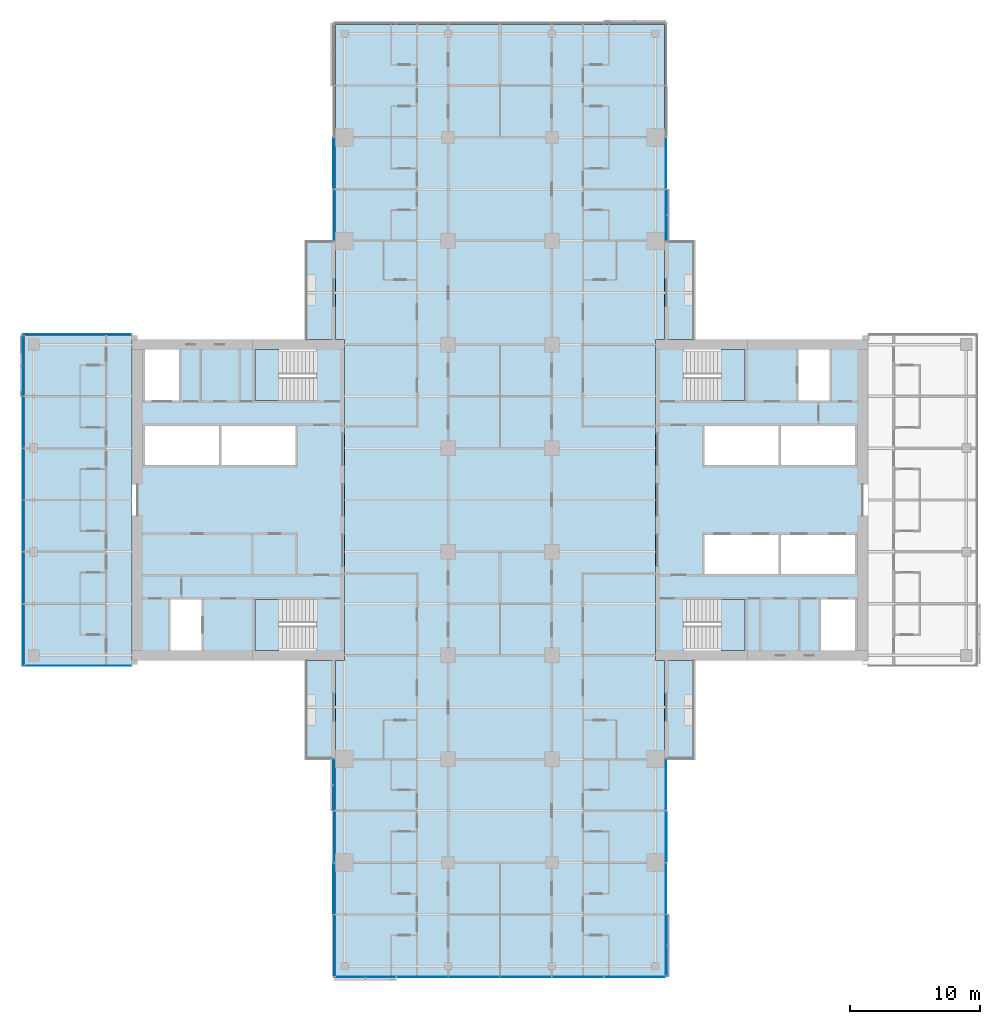
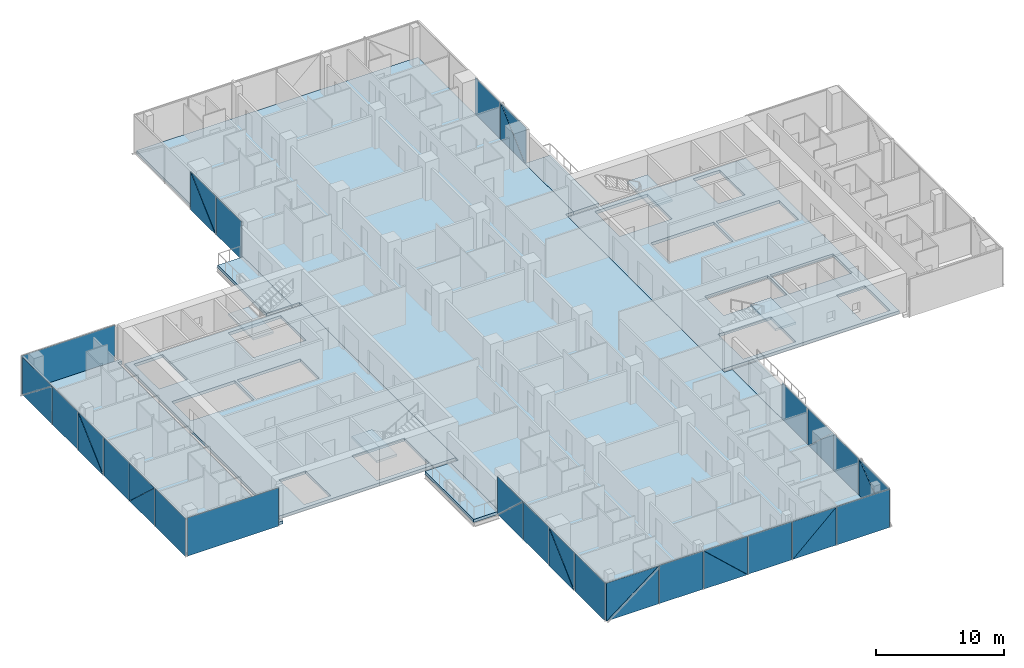
# One storey, part 13 of 29: 38 plates, 12 slabs, 12 elements without a shape of their own.
"""IFC4 building model written with IfcOpenShell, lengths in metres."""

from ifc_helpers import new_model, si_unit, direction, frame, origin, place, context, subcontext, project, spatial, polyline, outline, extrude, material, layer, layer_set, type_object, element, aggregate, save


model = new_model("IFC4")

# Units and contexts
model_context = context("Model", 3, precision=1e-05, world=origin(), true_north=direction((0.0, 1.0)))
body_context = subcontext(model_context, "Body", "Model", "MODEL_VIEW")
ifc_project = project(units=[si_unit("LENGTHUNIT", "METRE"), si_unit("AREAUNIT", "SQUARE_METRE"), si_unit("VOLUMEUNIT", "CUBIC_METRE"), si_unit("PLANEANGLEUNIT", "RADIAN"), si_unit("MASSUNIT", "GRAM", prefix="KILO")], contexts=[model_context])

# Site, building, storey
site_placement = place(None, origin())
site = spatial("IfcSite", under=ifc_project, at=site_placement, CompositionType="ELEMENT")
building_placement = place(site_placement, origin())
building = spatial("IfcBuilding", under=site, at=building_placement, Name="Crosswind Convention Tower", CompositionType="ELEMENT")
storey_placement = place(building_placement, frame((0.0, 0.0, 53.5)))
storey = spatial("IfcBuildingStorey", under=building, at=storey_placement, Name="L07", CompositionType="ELEMENT", Elevation=53.5)

# Slabs
ifc_material_1 = material(Name="Concrete C40/50", Category="concrete")
ifc_layer_1 = layer(ifc_material_1, 0.280029296875)
ifc_layer_set_1 = layer_set([ifc_layer_1], Name="Concrete C40/50")
slab_type_1 = type_object("IfcSlabType", Name="BALCONY SLAB 280", PredefinedType="USERDEFINED", material=ifc_layer_set_1)
slab_1_placement = place(storey_placement, frame((0.0, 0.0, -0.280029296875)))
element("IfcSlab", 1, at=slab_1_placement, inside=storey, type_object=slab_type_1, Name="BALCONY L07 N-E.1-1", ObjectType="BALCONY", PredefinedType="USERDEFINED", context=body_context, shape_type="SweptSolid", body=[
    extrude(outline(polyline([(137.699951171875, 112.39990234375), (137.699951171875, 120.0), (140.0, 120.0), (140.0, 112.39990234375), (137.699951171875, 112.39990234375)])), origin(), (0.0, 0.0, 1.0), 0.280029296875),
])
slab_2_placement = place(storey_placement, frame((0.0, 0.0, -0.280029296875)))
element("IfcSlab", 2, at=slab_2_placement, inside=storey, type_object=slab_type_1, Name="BALCONY L07 N-W.1-3", ObjectType="BALCONY", PredefinedType="USERDEFINED", context=body_context, shape_type="SweptSolid", body=[
    extrude(outline(polyline([(112.300048828125, 120.0), (112.300048828125, 112.39990234375), (110.0, 112.39990234375), (110.0, 120.0), (112.300048828125, 120.0)])), origin(), (0.0, 0.0, 1.0), 0.280029296875),
])
slab_3_placement = place(storey_placement, frame((0.0, 0.0, -0.280029296875)))
element("IfcSlab", 3, at=slab_3_placement, inside=storey, type_object=slab_type_1, Name="BALCONY L07 S-W.1-1", ObjectType="BALCONY", PredefinedType="USERDEFINED", context=body_context, shape_type="SweptSolid", body=[
    extrude(outline(polyline([(112.300048828125, 87.60009765625), (112.300048828125, 80.0), (110.0, 80.0), (110.0, 87.60009765625), (112.300048828125, 87.60009765625)])), origin(), (0.0, 0.0, 1.0), 0.280029296875),
])
slab_4_placement = place(storey_placement, frame((0.0, 0.0, -0.280029296875)))
element("IfcSlab", 4, at=slab_4_placement, inside=storey, type_object=slab_type_1, Name="BALCONY L07 S-E.1-3", ObjectType="BALCONY", PredefinedType="USERDEFINED", context=body_context, shape_type="SweptSolid", body=[
    extrude(outline(polyline([(137.699951171875, 80.0), (137.699951171875, 87.60009765625), (140.0, 87.60009765625), (140.0, 80.0), (137.699951171875, 80.0)])), origin(), (0.0, 0.0, 1.0), 0.280029296875),
])
ifc_layer_2 = layer(ifc_material_1, 0.280029296875)
ifc_layer_set_2 = layer_set([ifc_layer_2], Name="Concrete C40/50")
slab_type_2 = type_object("IfcSlabType", Name="Composite floor slab 280", PredefinedType="FLOOR", material=ifc_layer_set_2)
slab_5_placement = place(storey_placement, frame((0.0, 0.0, -0.280029296875)))
element("IfcSlab", 5, at=slab_5_placement, inside=storey, type_object=slab_type_2, Name="Floor slab L07 part 1", PredefinedType="FLOOR", context=body_context, shape_type="SweptSolid", body=[
    extrude(outline(polyline([(97.0, 87.300048828125), (89.0, 87.300048828125), (88.300048828125, 87.300048828125), (88.300048828125, 88.0), (88.300048828125, 112.0), (88.300048828125, 112.699951171875), (89.0, 112.699951171875), (97.0, 112.699951171875), (97.0, 112.39990234375), (96.60009765625, 112.39990234375), (96.60009765625, 87.60009765625), (97.0, 87.60009765625), (97.0, 87.300048828125)])), origin(), (0.0, 0.0, 1.0), 0.280029296875),
])
slab_6_placement = place(storey_placement, frame((0.0, 0.0, -0.280029296875)))
element("IfcSlab", 6, at=slab_6_placement, inside=storey, type_object=slab_type_2, Name="Floor slab L07 part 2", PredefinedType="FLOOR", context=body_context, shape_type="SweptSolid", body=[
    extrude(outline(polyline([(112.300048828125, 87.60009765625), (113.0, 87.60009765625), (113.0, 112.39990234375), (112.300048828125, 112.39990234375), (112.300048828125, 136.0), (112.300048828125, 136.699951171875), (113.0, 136.699951171875), (137.0, 136.699951171875), (137.699951171875, 136.699951171875), (137.699951171875, 136.0), (137.699951171875, 112.39990234375), (137.0, 112.39990234375), (137.0, 87.60009765625), (137.699951171875, 87.60009765625), (137.699951171875, 64.0), (137.699951171875, 63.300048828125), (137.0, 63.300048828125), (113.0, 63.300048828125), (112.300048828125, 63.300048828125), (112.300048828125, 64.0), (112.300048828125, 87.60009765625)])), origin(), (0.0, 0.0, 1.0), 0.280029296875),
])
ifc_layer_3 = layer(ifc_material_1, 0.280029296875)
ifc_layer_set_3 = layer_set([ifc_layer_3], Name="Concrete C40/50")
slab_type_3 = type_object("IfcSlabType", Name="Concrete core floor slab 280", PredefinedType="FLOOR", material=ifc_layer_set_3)
slab_7_placement = place(storey_placement, frame((0.0, 0.0, -0.280029296875)))
element("IfcSlab", 7, at=slab_7_placement, inside=storey, type_object=slab_type_3, Name="Core floor slab E L07", PredefinedType="FLOOR", context=body_context, shape_type="SweptSolid", body=[
    extrude(outline(polyline([(137.0, 88.0), (153.0, 88.0), (153.0, 112.0), (137.0, 112.0), (137.0, 88.0)]), holes=[polyline([(146.5, 102.699951171875), (146.5, 105.699951171875), (140.800048828125, 105.699951171875), (140.800048828125, 102.699951171875), (146.5, 102.699951171875)]), polyline([(152.39990234375, 102.699951171875), (152.39990234375, 105.699951171875), (146.699951171875, 105.699951171875), (146.699951171875, 102.699951171875), (152.39990234375, 102.699951171875)]), polyline([(146.5, 94.300048828125), (146.5, 97.300048828125), (140.800048828125, 97.300048828125), (140.800048828125, 94.300048828125), (146.5, 94.300048828125)]), polyline([(152.39990234375, 94.300048828125), (152.39990234375, 97.300048828125), (146.699951171875, 97.300048828125), (146.699951171875, 94.300048828125), (152.39990234375, 94.300048828125)]), polyline([(150.449951171875, 107.699951171875), (150.449951171875, 111.60009765625), (148.050048828125, 111.60009765625), (148.050048828125, 107.699951171875), (150.449951171875, 107.699951171875)]), polyline([(152.39990234375, 88.39990234375), (152.39990234375, 92.300048828125), (149.800048828125, 92.300048828125), (149.800048828125, 88.39990234375), (152.39990234375, 88.39990234375)]), polyline([(143.89990234375, 107.699951171875), (143.89990234375, 111.60009765625), (139.14990234375, 111.60009765625), (139.14990234375, 107.699951171875), (143.89990234375, 107.699951171875)]), polyline([(143.89990234375, 88.39990234375), (143.89990234375, 92.300048828125), (139.14990234375, 92.300048828125), (139.14990234375, 88.39990234375), (143.89990234375, 88.39990234375)])]), origin(), (0.0, 0.0, 1.0), 0.280029296875),
])
slab_8_placement = place(storey_placement, frame((0.0, 0.0, -0.280029296875)))
element("IfcSlab", 8, at=slab_8_placement, inside=storey, type_object=slab_type_3, Name="Core floor slab W L07", PredefinedType="FLOOR", context=body_context, shape_type="SweptSolid", body=[
    extrude(outline(polyline([(97.0, 88.0), (113.0, 88.0), (113.0, 112.0), (97.0, 112.0), (97.0, 88.0)]), holes=[polyline([(109.199951171875, 102.699951171875), (109.199951171875, 105.699951171875), (103.5, 105.699951171875), (103.5, 102.699951171875), (109.199951171875, 102.699951171875)]), polyline([(103.300048828125, 102.699951171875), (103.300048828125, 105.699951171875), (97.60009765625, 105.699951171875), (97.60009765625, 102.699951171875), (103.300048828125, 102.699951171875)]), polyline([(101.949951171875, 88.39990234375), (101.949951171875, 92.300048828125), (99.550048828125, 92.300048828125), (99.550048828125, 88.39990234375), (101.949951171875, 88.39990234375)]), polyline([(100.199951171875, 107.699951171875), (100.199951171875, 111.60009765625), (97.60009765625, 111.60009765625), (97.60009765625, 107.699951171875), (100.199951171875, 107.699951171875)]), polyline([(110.85009765625, 88.39990234375), (110.85009765625, 92.300048828125), (106.10009765625, 92.300048828125), (106.10009765625, 88.39990234375), (110.85009765625, 88.39990234375)]), polyline([(110.85009765625, 107.699951171875), (110.85009765625, 111.60009765625), (106.10009765625, 111.60009765625), (106.10009765625, 107.699951171875), (110.85009765625, 107.699951171875)])]), origin(), (0.0, 0.0, 1.0), 0.280029296875),
])

# Stair, slab
stair_type = type_object("IfcStairType", Name="Exit stair 1800 wide, 2 flights of 11 risers", PredefinedType="HALF_TURN_STAIR", material=ifc_material_1)
stair_1_placement = place(storey_placement, origin())
stair_1 = element("IfcStair", 9, at=stair_1_placement, inside=storey, type_object=stair_type, Name="Exit stair ST1 L07", ObjectType="ST5", PredefinedType="HALF_TURN_STAIR")
ifc_layer_4 = layer(ifc_material_1, 0.199951171875)
ifc_layer_set_4 = layer_set([ifc_layer_4], Name="Concrete C40/50")
slab_type_4 = type_object("IfcSlabType", Name="Stair landing 200", PredefinedType="LANDING", material=ifc_layer_set_4)
slab_9_placement = place(storey_placement, frame((0.0, 0.0, 1.64990234375)))
slab_9 = element("IfcSlab", 10, at=slab_9_placement, type_object=slab_type_4, Name="ST1 landing 1", PredefinedType="LANDING", context=body_context, shape_type="SweptSolid", body=[
    extrude(outline(polyline([(143.89990234375, 107.699951171875), (143.89990234375, 111.60009765625), (142.050048828125, 111.60009765625), (142.050048828125, 107.699951171875), (143.89990234375, 107.699951171875)])), origin(), (0.0, 0.0, 1.0), 0.2001953125),
])
aggregate(stair_1, [slab_9])

stair_2_placement = place(storey_placement, origin())
stair_2 = element("IfcStair", 11, at=stair_2_placement, inside=storey, type_object=stair_type, Name="Exit stair ST2 L07", ObjectType="ST5", PredefinedType="HALF_TURN_STAIR")
slab_10_placement = place(storey_placement, frame((0.0, 0.0, 1.64990234375)))
slab_10 = element("IfcSlab", 12, at=slab_10_placement, type_object=slab_type_4, Name="ST2 landing 1", PredefinedType="LANDING", context=body_context, shape_type="SweptSolid", body=[
    extrude(outline(polyline([(143.89990234375, 88.39990234375), (143.89990234375, 92.300048828125), (142.050048828125, 92.300048828125), (142.050048828125, 88.39990234375), (143.89990234375, 88.39990234375)])), origin(), (0.0, 0.0, 1.0), 0.2001953125),
])
aggregate(stair_2, [slab_10])

stair_3_placement = place(storey_placement, origin())
stair_3 = element("IfcStair", 13, at=stair_3_placement, inside=storey, type_object=stair_type, Name="Exit stair ST3 L07", ObjectType="ST5", PredefinedType="HALF_TURN_STAIR")
slab_11_placement = place(storey_placement, frame((0.0, 0.0, 1.64990234375)))
slab_11 = element("IfcSlab", 14, at=slab_11_placement, type_object=slab_type_4, Name="ST3 landing 1", PredefinedType="LANDING", context=body_context, shape_type="SweptSolid", body=[
    extrude(outline(polyline([(107.949951171875, 88.39990234375), (107.949951171875, 92.300048828125), (106.10009765625, 92.300048828125), (106.10009765625, 88.39990234375), (107.949951171875, 88.39990234375)])), origin(), (0.0, 0.0, 1.0), 0.2001953125),
])
aggregate(stair_3, [slab_11])

stair_4_placement = place(storey_placement, origin())
stair_4 = element("IfcStair", 15, at=stair_4_placement, inside=storey, type_object=stair_type, Name="Exit stair ST4 L07", ObjectType="ST5", PredefinedType="HALF_TURN_STAIR")
slab_12_placement = place(storey_placement, frame((0.0, 0.0, 1.64990234375)))
slab_12 = element("IfcSlab", 16, at=slab_12_placement, type_object=slab_type_4, Name="ST4 landing 1", PredefinedType="LANDING", context=body_context, shape_type="SweptSolid", body=[
    extrude(outline(polyline([(107.949951171875, 107.699951171875), (107.949951171875, 111.60009765625), (106.10009765625, 111.60009765625), (106.10009765625, 107.699951171875), (107.949951171875, 107.699951171875)])), origin(), (0.0, 0.0, 1.0), 0.2001953125),
])
aggregate(stair_4, [slab_12])

# Curtain wall, plate
ifc_material_2 = material(Name="Aluminium unitised curtain wall", Category="aluminium")
curtain_wall_type_1 = type_object("IfcCurtainWallType", Name="CORE END SLOT WALL 160", PredefinedType="USERDEFINED", material=ifc_material_2)
curtain_wall_1_placement = place(storey_placement, origin())
curtain_wall_1 = element("IfcCurtainWall", 17, at=curtain_wall_1_placement, inside=storey, type_object=curtain_wall_type_1, Name="CW6 L07 W-N.2-1 slot", ObjectType="UNITISED", PredefinedType="USERDEFINED")
ifc_material_3 = material(Name="Laminated insulating glass unit", Category="glass")
ifc_layer_5 = layer(ifc_material_3, 0.02587890625)
ifc_layer_set_5 = layer_set([ifc_layer_5], Name="TRIANGULAR GLASS PANEL 26")
plate_type_1 = type_object("IfcPlateType", Name="TRIANGULAR GLASS PANEL 26", PredefinedType="CURTAIN_PANEL", material=ifc_layer_set_5)
plate_1_placement = place(storey_placement, frame((96.550048828125, 112.806640625, -0.280029296875), z_axis=(0.0, 0.999999919475, 0.000401310917), x_axis=(-1.0, 0.0, 0.0)))
plate_1 = element("IfcPlate", 18, at=plate_1_placement, type_object=plate_type_1, Name="CW6 panel 1.1", PredefinedType="CURTAIN_PANEL", context=body_context, shape_type="SweptSolid", body=[
    extrude(outline(polyline([(0.0, 0.0), (8.400146484375, 0.0), (8.400146484375, 3.6501467783039057), (0.0, 3.6501467783039057), (0.0, 0.0)])), origin(), (0.0, 0.0, -1.0), 0.02587890625),
])
aggregate(curtain_wall_1, [plate_1])

curtain_wall_2_placement = place(storey_placement, origin())
curtain_wall_2 = element("IfcCurtainWall", 19, at=curtain_wall_2_placement, inside=storey, type_object=curtain_wall_type_1, Name="CW6 L07 W-S.1-1 slot", ObjectType="UNITISED", PredefinedType="USERDEFINED")
plate_2_placement = place(storey_placement, frame((88.35009765625, 87.193359375, -0.280029296875), z_axis=(0.0, -0.999999919475, 0.000401310917), x_axis=(1.0, 0.0, 0.0)))
plate_2 = element("IfcPlate", 20, at=plate_2_placement, type_object=plate_type_1, Name="CW6 panel 1.1", PredefinedType="CURTAIN_PANEL", context=body_context, shape_type="SweptSolid", body=[
    extrude(outline(polyline([(0.0, 0.0), (8.199951171875, 0.0), (8.199951171875, 3.650146778303906), (0.0, 3.650146778303906), (0.0, 0.0)])), origin(), (0.0, 0.0, -1.0), 0.02587890625),
])
aggregate(curtain_wall_2, [plate_2])

# Curtain wall, plates
curtain_wall_type_2 = type_object("IfcCurtainWallType", Name="HOTEL UNITISED WALL 200", PredefinedType="USERDEFINED", material=ifc_material_2)
curtain_wall_3_placement = place(storey_placement, origin())
curtain_wall_3 = element("IfcCurtainWall", 21, at=curtain_wall_3_placement, inside=storey, type_object=curtain_wall_type_2, Name="CW2 L07 N-E 1", ObjectType="UNITISED", PredefinedType="USERDEFINED")
ifc_layer_6 = layer(ifc_material_3, 0.028076171875)
ifc_layer_set_6 = layer_set([ifc_layer_6], Name="TRIANGULAR GLASS PANEL 28")
plate_type_2 = type_object("IfcPlateType", Name="TRIANGULAR GLASS PANEL 28", PredefinedType="CURTAIN_PANEL", material=ifc_layer_set_6)
plate_3_placement = place(storey_placement, frame((137.82861328125, 123.967529296875, -0.280029296875), z_axis=(0.999999943186, 0.0, 0.000337086208), x_axis=(-0.000337086208, 0.0, 0.999999943186)))
plate_3 = element("IfcPlate", 22, at=plate_3_placement, type_object=plate_type_2, Name="CW2 panel 1.1", PredefinedType="CURTAIN_PANEL", context=body_context, shape_type="SweptSolid", body=[
    extrude(outline(polyline([(0.0, 0.0), (3.6213380963660997, 0.0), (0.0, 3.920410156250001), (0.0, 0.0)])), origin(), (0.0, 0.0, -1.0), 0.028076171875),
])
plate_4_placement = place(storey_placement, frame((137.857177734375, 120.032470703125, 3.35498046875), z_axis=(0.999999918188, 0.0, 0.000404503439), x_axis=(0.000404503439, 0.0, -0.999999918188)))
plate_4 = element("IfcPlate", 23, at=plate_4_placement, type_object=plate_type_2, Name="CW2 panel 1.2", PredefinedType="CURTAIN_PANEL", context=body_context, shape_type="SweptSolid", body=[
    extrude(outline(polyline([(0.0, 0.0), (3.6213381868921797, 0.0), (0.0, 3.92041015625), (0.0, 0.0)])), origin(), (0.0, 0.0, -1.0), 0.028076171875),
])
plate_5_placement = place(storey_placement, frame((137.82861328125, 124.032470703125, -0.280029296875), z_axis=(0.999999943613, 0.0, 0.00033581837), x_axis=(0.0, 1.0, 0.0)))
plate_5 = element("IfcPlate", 24, at=plate_5_placement, type_object=plate_type_2, Name="CW2 panel 2.1", PredefinedType="CURTAIN_PANEL", context=body_context, shape_type="SweptSolid", body=[
    extrude(outline(polyline([(0.0, 0.0), (3.93505859375, 0.0), (3.93505859375, 3.635009970592273), (0.0, 3.635009970592273), (0.0, 0.0)])), origin(), (0.0, 0.0, -1.0), 0.028076171875),
])
aggregate(curtain_wall_3, [plate_3, plate_4, plate_5])

curtain_wall_4_placement = place(storey_placement, origin())
curtain_wall_4 = element("IfcCurtainWall", 25, at=curtain_wall_4_placement, inside=storey, type_object=curtain_wall_type_2, Name="CW2 L07 N-W 1", ObjectType="UNITISED", PredefinedType="USERDEFINED")
plate_6_placement = place(storey_placement, frame((112.172607421875, 124.032470703125, 3.35498046875), z_axis=(-0.999999943186, 0.0, 0.000337086208), x_axis=(0.0, 1.0, 0.0)))
plate_6 = element("IfcPlate", 26, at=plate_6_placement, type_object=plate_type_2, Name="CW2 panel 3.1", PredefinedType="CURTAIN_PANEL", context=body_context, shape_type="SweptSolid", body=[
    extrude(outline(polyline([(0.0, 0.0), (3.92041015625, 0.0), (0.0, 3.6213380963660997), (0.0, 0.0)])), origin(), (0.0, 0.0, -1.0), 0.028076171875),
])
plate_7_placement = place(storey_placement, frame((112.141357421875, 127.967529296875, -0.280029296875), z_axis=(-0.999999918188, 0.0, 0.000404503439), x_axis=(0.0, -1.0, 0.0)))
plate_7 = element("IfcPlate", 27, at=plate_7_placement, type_object=plate_type_2, Name="CW2 panel 3.2", PredefinedType="CURTAIN_PANEL", context=body_context, shape_type="SweptSolid", body=[
    extrude(outline(polyline([(0.0, 0.0), (3.92041015625, 0.0), (0.0, 3.6213381868921792), (0.0, 0.0)])), origin(), (0.0, 0.0, -1.0), 0.028076171875),
])
plate_8_placement = place(storey_placement, frame((112.17138671875, 123.967529296875, -0.280029296875), z_axis=(-0.999999943613, 0.0, 0.00033581837), x_axis=(0.0, -1.0, 0.0)))
plate_8 = element("IfcPlate", 28, at=plate_8_placement, type_object=plate_type_2, Name="CW2 panel 4.1", PredefinedType="CURTAIN_PANEL", context=body_context, shape_type="SweptSolid", body=[
    extrude(outline(polyline([(0.0, 0.0), (3.93505859375, 0.0), (3.93505859375, 3.635009970592273), (0.0, 3.635009970592273), (0.0, 0.0)])), origin(), (0.0, 0.0, -1.0), 0.028076171875),
])
aggregate(curtain_wall_4, [plate_6, plate_7, plate_8])

curtain_wall_5_placement = place(storey_placement, origin())
curtain_wall_5 = element("IfcCurtainWall", 29, at=curtain_wall_5_placement, inside=storey, type_object=curtain_wall_type_2, Name="CW2 L07 W-TIP 1", ObjectType="UNITISED", PredefinedType="USERDEFINED")
plate_9_placement = place(storey_placement, frame((88.17138671875, 108.032470703125, -0.280029296875), z_axis=(-0.999999943217, 0.0, 0.00033699533), x_axis=(0.00033699533, 0.0, 0.999999943217)))
plate_9 = element("IfcPlate", 30, at=plate_9_placement, type_object=plate_type_2, Name="CW2 panel 1.1", PredefinedType="CURTAIN_PANEL", context=body_context, shape_type="SweptSolid", body=[
    extrude(outline(polyline([(0.0, 0.0), (3.6223146588106325, 0.0), (0.0, 4.58642578125), (0.0, 0.0)])), origin(), (0.0, 0.0, -1.0), 0.028076171875),
])
plate_10_placement = place(storey_placement, frame((88.142822265625, 112.635009765625, 3.35498046875), z_axis=(-0.999999918233, 0.0, 0.000404394386), x_axis=(-0.000404394386, 0.0, -0.999999918233)))
plate_10 = element("IfcPlate", 31, at=plate_10_placement, type_object=plate_type_2, Name="CW2 panel 1.2", PredefinedType="CURTAIN_PANEL", context=body_context, shape_type="SweptSolid", body=[
    extrude(outline(polyline([(0.0, 0.0), (3.6223147493123067, 0.0), (0.0, 4.58642578125), (0.0, 0.0)])), origin(), (0.0, 0.0, -1.0), 0.028076171875),
])
plate_11_placement = place(storey_placement, frame((88.17138671875, 107.967529296875, -0.280029296875), z_axis=(-0.999999943613, 0.0, 0.00033581837), x_axis=(0.0, -1.0, 0.0)))
plate_11 = element("IfcPlate", 32, at=plate_11_placement, type_object=plate_type_2, Name="CW2 panel 2.1", PredefinedType="CURTAIN_PANEL", context=body_context, shape_type="SweptSolid", body=[
    extrude(outline(polyline([(0.0, 0.0), (3.93505859375, 0.0), (3.93505859375, 3.635009970592273), (0.0, 3.635009970592273), (0.0, 0.0)])), origin(), (0.0, 0.0, -1.0), 0.028076171875),
])
plate_12_placement = place(storey_placement, frame((88.172607421875, 100.032470703125, 3.35498046875), z_axis=(-0.999999943186, 0.0, 0.000337086208), x_axis=(0.0, 1.0, 0.0)))
plate_12 = element("IfcPlate", 33, at=plate_12_placement, type_object=plate_type_2, Name="CW2 panel 3.1", PredefinedType="CURTAIN_PANEL", context=body_context, shape_type="SweptSolid", body=[
    extrude(outline(polyline([(0.0, 0.0), (3.92041015625, 0.0), (0.0, 3.6213380963660997), (0.0, 0.0)])), origin(), (0.0, 0.0, -1.0), 0.028076171875),
])
plate_13_placement = place(storey_placement, frame((88.141357421875, 103.967529296875, -0.280029296875), z_axis=(-0.999999918188, 0.0, 0.000404503439), x_axis=(0.0, -1.0, 0.0)))
plate_13 = element("IfcPlate", 34, at=plate_13_placement, type_object=plate_type_2, Name="CW2 panel 3.2", PredefinedType="CURTAIN_PANEL", context=body_context, shape_type="SweptSolid", body=[
    extrude(outline(polyline([(0.0, 0.0), (3.92041015625, 0.0), (0.0, 3.6213381868921792), (0.0, 0.0)])), origin(), (0.0, 0.0, -1.0), 0.028076171875),
])
plate_14_placement = place(storey_placement, frame((88.17138671875, 99.967529296875, -0.280029296875), z_axis=(-0.999999943613, 0.0, 0.00033581837), x_axis=(0.0, -1.0, 0.0)))
plate_14 = element("IfcPlate", 35, at=plate_14_placement, type_object=plate_type_2, Name="CW2 panel 4.1", PredefinedType="CURTAIN_PANEL", context=body_context, shape_type="SweptSolid", body=[
    extrude(outline(polyline([(0.0, 0.0), (3.93505859375, 0.0), (3.93505859375, 3.635009970592273), (0.0, 3.635009970592273), (0.0, 0.0)])), origin(), (0.0, 0.0, -1.0), 0.028076171875),
])
plate_15_placement = place(storey_placement, frame((88.17138671875, 92.032470703125, -0.280029296875), z_axis=(-0.999999943186, 0.0, 0.000337086208), x_axis=(0.000337086208, 0.0, 0.999999943186)))
plate_15 = element("IfcPlate", 36, at=plate_15_placement, type_object=plate_type_2, Name="CW2 panel 5.1", PredefinedType="CURTAIN_PANEL", context=body_context, shape_type="SweptSolid", body=[
    extrude(outline(polyline([(0.0, 0.0), (3.6213380963660997, 0.0), (0.0, 3.920410156250001), (0.0, 0.0)])), origin(), (0.0, 0.0, -1.0), 0.028076171875),
])
plate_16_placement = place(storey_placement, frame((88.142822265625, 95.967529296875, 3.35498046875), z_axis=(-0.999999918188, 0.0, 0.000404503439), x_axis=(-0.000404503439, 0.0, -0.999999918188)))
plate_16 = element("IfcPlate", 37, at=plate_16_placement, type_object=plate_type_2, Name="CW2 panel 5.2", PredefinedType="CURTAIN_PANEL", context=body_context, shape_type="SweptSolid", body=[
    extrude(outline(polyline([(0.0, 0.0), (3.6213381868921797, 0.0), (0.0, 3.92041015625), (0.0, 0.0)])), origin(), (0.0, 0.0, -1.0), 0.028076171875),
])
plate_17_placement = place(storey_placement, frame((88.17138671875, 91.967529296875, -0.280029296875), z_axis=(-0.999999943613, 0.0, 0.00033581837), x_axis=(0.0, -1.0, 0.0)))
plate_17 = element("IfcPlate", 38, at=plate_17_placement, type_object=plate_type_2, Name="CW2 panel 6.1", PredefinedType="CURTAIN_PANEL", context=body_context, shape_type="SweptSolid", body=[
    extrude(outline(polyline([(0.0, 0.0), (4.762451171875, 0.0), (4.762451171875, 3.635009970592273), (0.0, 3.635009970592273), (0.0, 0.0)])), origin(), (0.0, 0.0, -1.0), 0.028076171875),
])
aggregate(curtain_wall_5, [plate_9, plate_10, plate_11, plate_12, plate_13, plate_14, plate_15, plate_16, plate_17])

curtain_wall_6_placement = place(storey_placement, origin())
curtain_wall_6 = element("IfcCurtainWall", 39, at=curtain_wall_6_placement, inside=storey, type_object=curtain_wall_type_2, Name="CW2 L07 S-W 1", ObjectType="UNITISED", PredefinedType="USERDEFINED")
plate_18_placement = place(storey_placement, frame((112.17138671875, 76.032470703125, -0.280029296875), z_axis=(-0.999999943186, 0.0, 0.000337086208), x_axis=(0.000337086208, 0.0, 0.999999943186)))
plate_18 = element("IfcPlate", 40, at=plate_18_placement, type_object=plate_type_2, Name="CW2 panel 1.1", PredefinedType="CURTAIN_PANEL", context=body_context, shape_type="SweptSolid", body=[
    extrude(outline(polyline([(0.0, 0.0), (3.6213380963660997, 0.0), (0.0, 3.920410156250001), (0.0, 0.0)])), origin(), (0.0, 0.0, -1.0), 0.028076171875),
])
plate_19_placement = place(storey_placement, frame((112.142822265625, 79.967529296875, 3.35498046875), z_axis=(-0.999999918188, 0.0, 0.000404503439), x_axis=(-0.000404503439, 0.0, -0.999999918188)))
plate_19 = element("IfcPlate", 41, at=plate_19_placement, type_object=plate_type_2, Name="CW2 panel 1.2", PredefinedType="CURTAIN_PANEL", context=body_context, shape_type="SweptSolid", body=[
    extrude(outline(polyline([(0.0, 0.0), (3.6213381868921797, 0.0), (0.0, 3.92041015625), (0.0, 0.0)])), origin(), (0.0, 0.0, -1.0), 0.028076171875),
])
plate_20_placement = place(storey_placement, frame((112.17138671875, 75.967529296875, -0.280029296875), z_axis=(-0.999999943613, 0.0, 0.00033581837), x_axis=(0.0, -1.0, 0.0)))
plate_20 = element("IfcPlate", 42, at=plate_20_placement, type_object=plate_type_2, Name="CW2 panel 2.1", PredefinedType="CURTAIN_PANEL", context=body_context, shape_type="SweptSolid", body=[
    extrude(outline(polyline([(0.0, 0.0), (3.93505859375, 0.0), (3.93505859375, 3.635009970592273), (0.0, 3.635009970592273), (0.0, 0.0)])), origin(), (0.0, 0.0, -1.0), 0.028076171875),
])
plate_21_placement = place(storey_placement, frame((112.172607421875, 68.032470703125, 3.35498046875), z_axis=(-0.999999943186, 0.0, 0.000337086208), x_axis=(0.0, 1.0, 0.0)))
plate_21 = element("IfcPlate", 43, at=plate_21_placement, type_object=plate_type_2, Name="CW2 panel 3.1", PredefinedType="CURTAIN_PANEL", context=body_context, shape_type="SweptSolid", body=[
    extrude(outline(polyline([(0.0, 0.0), (3.92041015625, 0.0), (0.0, 3.6213380963660997), (0.0, 0.0)])), origin(), (0.0, 0.0, -1.0), 0.028076171875),
])
plate_22_placement = place(storey_placement, frame((112.141357421875, 71.967529296875, -0.280029296875), z_axis=(-0.999999918188, 0.0, 0.000404503439), x_axis=(0.0, -1.0, 0.0)))
plate_22 = element("IfcPlate", 44, at=plate_22_placement, type_object=plate_type_2, Name="CW2 panel 3.2", PredefinedType="CURTAIN_PANEL", context=body_context, shape_type="SweptSolid", body=[
    extrude(outline(polyline([(0.0, 0.0), (3.92041015625, 0.0), (0.0, 3.6213381868921792), (0.0, 0.0)])), origin(), (0.0, 0.0, -1.0), 0.028076171875),
])
plate_23_placement = place(storey_placement, frame((112.17138671875, 67.967529296875, -0.280029296875), z_axis=(-0.999999943613, 0.0, 0.00033581837), x_axis=(0.0, -1.0, 0.0)))
plate_23 = element("IfcPlate", 45, at=plate_23_placement, type_object=plate_type_2, Name="CW2 panel 4.1", PredefinedType="CURTAIN_PANEL", context=body_context, shape_type="SweptSolid", body=[
    extrude(outline(polyline([(0.0, 0.0), (4.735107421875, 0.0), (4.735107421875, 3.6350099705922725), (0.0, 3.6350099705922725), (0.0, 0.0)])), origin(), (0.0, 0.0, -1.0), 0.028076171875),
])
aggregate(curtain_wall_6, [plate_18, plate_19, plate_20, plate_21, plate_22, plate_23])

curtain_wall_7_placement = place(storey_placement, origin())
curtain_wall_7 = element("IfcCurtainWall", 46, at=curtain_wall_7_placement, inside=storey, type_object=curtain_wall_type_2, Name="CW2 L07 S-TIP 1", ObjectType="UNITISED", PredefinedType="USERDEFINED")
plate_24_placement = place(storey_placement, frame((116.967529296875, 63.17138671875, -0.280029296875), z_axis=(0.0, -0.999999943217, 0.00033699533), x_axis=(0.0, 0.00033699533, 0.999999943217)))
plate_24 = element("IfcPlate", 47, at=plate_24_placement, type_object=plate_type_2, Name="CW2 panel 1.1", PredefinedType="CURTAIN_PANEL", context=body_context, shape_type="SweptSolid", body=[
    extrude(outline(polyline([(0.0, 0.0), (3.6223146588106325, 0.0), (0.0, 4.718505859374999), (0.0, 0.0)])), origin(), (0.0, 0.0, -1.0), 0.028076171875),
])
plate_25_placement = place(storey_placement, frame((112.232421875, 63.142822265625, 3.35498046875), z_axis=(0.0, -0.999999918233, 0.000404394386), x_axis=(0.0, -0.000404394386, -0.999999918233)))
plate_25 = element("IfcPlate", 48, at=plate_25_placement, type_object=plate_type_2, Name="CW2 panel 1.2", PredefinedType="CURTAIN_PANEL", context=body_context, shape_type="SweptSolid", body=[
    extrude(outline(polyline([(0.0, 0.0), (3.6223147493123067, 0.0), (0.0, 4.71875), (0.0, 0.0)])), origin(), (0.0, 0.0, -1.0), 0.028076171875),
])
plate_26_placement = place(storey_placement, frame((117.032470703125, 63.17138671875, -0.280029296875), z_axis=(0.0, -0.999999943613, 0.00033581837), x_axis=(1.0, 0.0, 0.0)))
plate_26 = element("IfcPlate", 49, at=plate_26_placement, type_object=plate_type_2, Name="CW2 panel 2.1", PredefinedType="CURTAIN_PANEL", context=body_context, shape_type="SweptSolid", body=[
    extrude(outline(polyline([(0.0, 0.0), (3.93505859375, 0.0), (3.93505859375, 3.635009970592273), (0.0, 3.635009970592273), (0.0, 0.0)])), origin(), (0.0, 0.0, -1.0), 0.028076171875),
])
plate_27_placement = place(storey_placement, frame((124.967529296875, 63.172607421875, 3.35498046875), z_axis=(0.0, -0.999999943186, 0.000337086208), x_axis=(-1.0, 0.0, 0.0)))
plate_27 = element("IfcPlate", 50, at=plate_27_placement, type_object=plate_type_2, Name="CW2 panel 3.1", PredefinedType="CURTAIN_PANEL", context=body_context, shape_type="SweptSolid", body=[
    extrude(outline(polyline([(0.0, 0.0), (3.92041015625, 0.0), (0.0, 3.6213380963660997), (0.0, 0.0)])), origin(), (0.0, 0.0, -1.0), 0.028076171875),
])
plate_28_placement = place(storey_placement, frame((121.032470703125, 63.141357421875, -0.280029296875), z_axis=(0.0, -0.999999918188, 0.000404503439), x_axis=(1.0, 0.0, 0.0)))
plate_28 = element("IfcPlate", 51, at=plate_28_placement, type_object=plate_type_2, Name="CW2 panel 3.2", PredefinedType="CURTAIN_PANEL", context=body_context, shape_type="SweptSolid", body=[
    extrude(outline(polyline([(0.0, 0.0), (3.92041015625, 0.0), (0.0, 3.6213381868921792), (0.0, 0.0)])), origin(), (0.0, 0.0, -1.0), 0.028076171875),
])
plate_29_placement = place(storey_placement, frame((125.032470703125, 63.17138671875, -0.280029296875), z_axis=(0.0, -0.999999943613, 0.00033581837), x_axis=(1.0, 0.0, 0.0)))
plate_29 = element("IfcPlate", 52, at=plate_29_placement, type_object=plate_type_2, Name="CW2 panel 4.1", PredefinedType="CURTAIN_PANEL", context=body_context, shape_type="SweptSolid", body=[
    extrude(outline(polyline([(0.0, 0.0), (3.93505859375, 0.0), (3.93505859375, 3.635009970592273), (0.0, 3.635009970592273), (0.0, 0.0)])), origin(), (0.0, 0.0, -1.0), 0.028076171875),
])
plate_30_placement = place(storey_placement, frame((132.967529296875, 63.17138671875, -0.280029296875), z_axis=(0.0, -0.999999943186, 0.000337086208), x_axis=(0.0, 0.000337086208, 0.999999943186)))
plate_30 = element("IfcPlate", 53, at=plate_30_placement, type_object=plate_type_2, Name="CW2 panel 5.1", PredefinedType="CURTAIN_PANEL", context=body_context, shape_type="SweptSolid", body=[
    extrude(outline(polyline([(0.0, 0.0), (3.6213380963660997, 0.0), (0.0, 3.920410156250001), (0.0, 0.0)])), origin(), (0.0, 0.0, -1.0), 0.028076171875),
])
plate_31_placement = place(storey_placement, frame((129.032470703125, 63.142822265625, 3.35498046875), z_axis=(0.0, -0.999999918188, 0.000404503439), x_axis=(0.0, -0.000404503439, -0.999999918188)))
plate_31 = element("IfcPlate", 54, at=plate_31_placement, type_object=plate_type_2, Name="CW2 panel 5.2", PredefinedType="CURTAIN_PANEL", context=body_context, shape_type="SweptSolid", body=[
    extrude(outline(polyline([(0.0, 0.0), (3.6213381868921797, 0.0), (0.0, 3.92041015625), (0.0, 0.0)])), origin(), (0.0, 0.0, -1.0), 0.028076171875),
])
plate_32_placement = place(storey_placement, frame((133.032470703125, 63.17138671875, -0.280029296875), z_axis=(0.0, -0.999999943613, 0.00033581837), x_axis=(1.0, 0.0, 0.0)))
plate_32 = element("IfcPlate", 55, at=plate_32_placement, type_object=plate_type_2, Name="CW2 panel 6.1", PredefinedType="CURTAIN_PANEL", context=body_context, shape_type="SweptSolid", body=[
    extrude(outline(polyline([(0.0, 0.0), (4.735107421875, 0.0), (4.735107421875, 3.6350099705922725), (0.0, 3.6350099705922725), (0.0, 0.0)])), origin(), (0.0, 0.0, -1.0), 0.028076171875),
])
aggregate(curtain_wall_7, [plate_24, plate_25, plate_26, plate_27, plate_28, plate_29, plate_30, plate_31, plate_32])

curtain_wall_8_placement = place(storey_placement, origin())
curtain_wall_8 = element("IfcCurtainWall", 56, at=curtain_wall_8_placement, inside=storey, type_object=curtain_wall_type_2, Name="CW2 L07 S-E 1", ObjectType="UNITISED", PredefinedType="USERDEFINED")
plate_33_placement = place(storey_placement, frame((137.82861328125, 67.967529296875, -0.280029296875), z_axis=(0.999999943217, 0.0, 0.00033699533), x_axis=(-0.00033699533, 0.0, 0.999999943217)))
plate_33 = element("IfcPlate", 57, at=plate_33_placement, type_object=plate_type_2, Name="CW2 panel 1.1", PredefinedType="CURTAIN_PANEL", context=body_context, shape_type="SweptSolid", body=[
    extrude(outline(polyline([(0.0, 0.0), (3.6223146588106325, 0.0), (0.0, 4.718505859374999), (0.0, 0.0)])), origin(), (0.0, 0.0, -1.0), 0.028076171875),
])
plate_34_placement = place(storey_placement, frame((137.857177734375, 63.232421875, 3.35498046875), z_axis=(0.999999918233, 0.0, 0.000404394386), x_axis=(0.000404394386, 0.0, -0.999999918233)))
plate_34 = element("IfcPlate", 58, at=plate_34_placement, type_object=plate_type_2, Name="CW2 panel 1.2", PredefinedType="CURTAIN_PANEL", context=body_context, shape_type="SweptSolid", body=[
    extrude(outline(polyline([(0.0, 0.0), (3.6223147493123067, 0.0), (0.0, 4.71875), (0.0, 0.0)])), origin(), (0.0, 0.0, -1.0), 0.028076171875),
])
plate_35_placement = place(storey_placement, frame((137.82861328125, 68.032470703125, -0.280029296875), z_axis=(0.999999943613, 0.0, 0.00033581837), x_axis=(0.0, 1.0, 0.0)))
plate_35 = element("IfcPlate", 59, at=plate_35_placement, type_object=plate_type_2, Name="CW2 panel 2.1", PredefinedType="CURTAIN_PANEL", context=body_context, shape_type="SweptSolid", body=[
    extrude(outline(polyline([(0.0, 0.0), (3.93505859375, 0.0), (3.93505859375, 3.635009970592273), (0.0, 3.635009970592273), (0.0, 0.0)])), origin(), (0.0, 0.0, -1.0), 0.028076171875),
])
plate_36_placement = place(storey_placement, frame((137.827392578125, 75.967529296875, 3.35498046875), z_axis=(0.999999943186, 0.0, 0.000337086208), x_axis=(0.0, -1.0, 0.0)))
plate_36 = element("IfcPlate", 60, at=plate_36_placement, type_object=plate_type_2, Name="CW2 panel 3.1", PredefinedType="CURTAIN_PANEL", context=body_context, shape_type="SweptSolid", body=[
    extrude(outline(polyline([(0.0, 0.0), (3.92041015625, 0.0), (0.0, 3.6213380963660997), (0.0, 0.0)])), origin(), (0.0, 0.0, -1.0), 0.028076171875),
])
plate_37_placement = place(storey_placement, frame((137.858642578125, 72.032470703125, -0.280029296875), z_axis=(0.999999918188, 0.0, 0.000404503439), x_axis=(0.0, 1.0, 0.0)))
plate_37 = element("IfcPlate", 61, at=plate_37_placement, type_object=plate_type_2, Name="CW2 panel 3.2", PredefinedType="CURTAIN_PANEL", context=body_context, shape_type="SweptSolid", body=[
    extrude(outline(polyline([(0.0, 0.0), (3.92041015625, 0.0), (0.0, 3.6213381868921792), (0.0, 0.0)])), origin(), (0.0, 0.0, -1.0), 0.028076171875),
])
plate_38_placement = place(storey_placement, frame((137.82861328125, 76.032470703125, -0.280029296875), z_axis=(0.999999943613, 0.0, 0.00033581837), x_axis=(0.0, 1.0, 0.0)))
plate_38 = element("IfcPlate", 62, at=plate_38_placement, type_object=plate_type_2, Name="CW2 panel 4.1", PredefinedType="CURTAIN_PANEL", context=body_context, shape_type="SweptSolid", body=[
    extrude(outline(polyline([(0.0, 0.0), (3.93505859375, 0.0), (3.93505859375, 3.635009970592273), (0.0, 3.635009970592273), (0.0, 0.0)])), origin(), (0.0, 0.0, -1.0), 0.028076171875),
])
aggregate(curtain_wall_8, [plate_33, plate_34, plate_35, plate_36, plate_37, plate_38])

save(model, "model.ifc")
